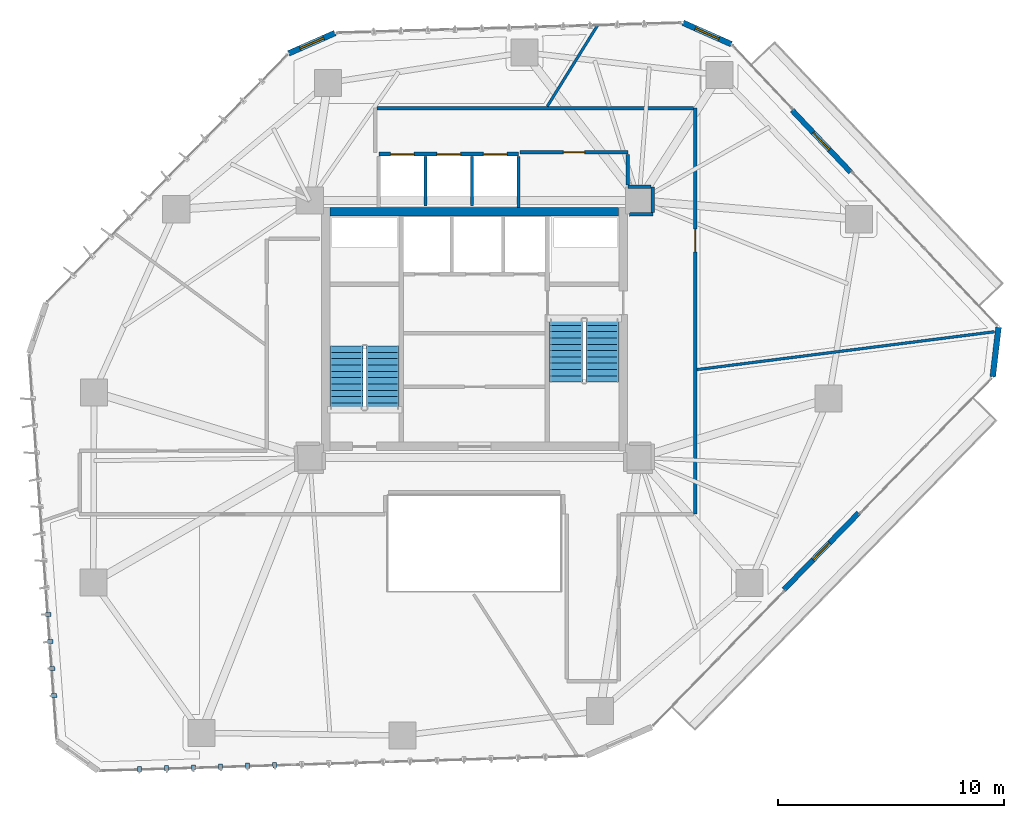
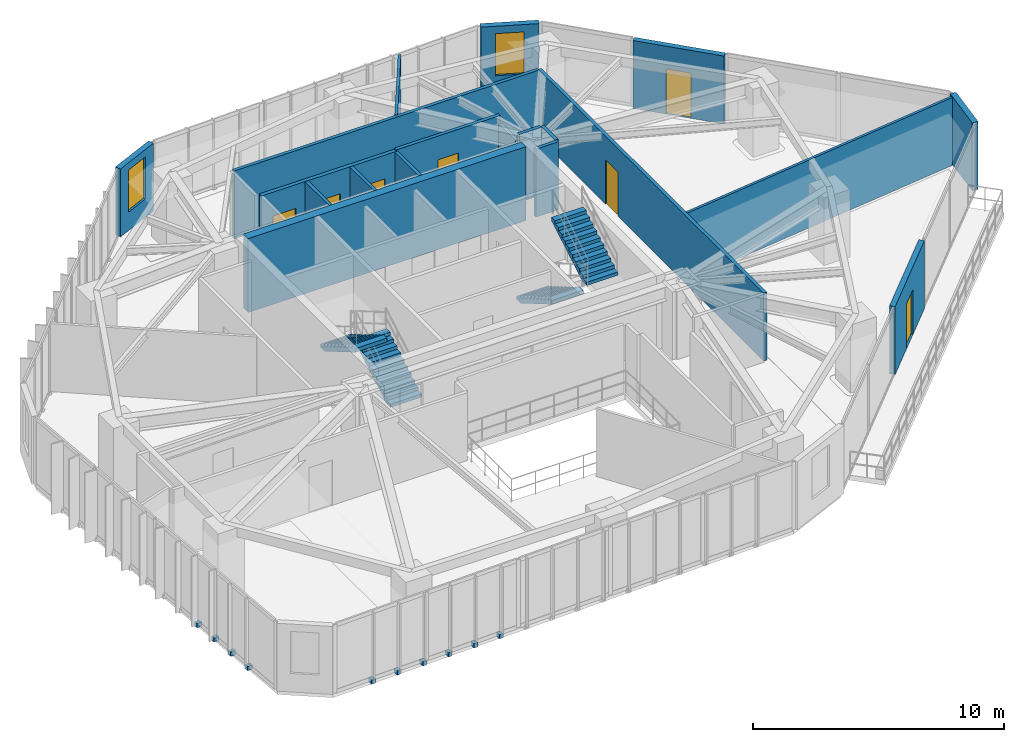
# One storey, part 19 of 23: 19 walls, 10 discrete accessories, 7 doors, 4 stair flights, 2 windows, 9 openings, 2 elements without a shape of their own.
"""IFC4 building model written with IfcOpenShell, lengths in metres."""

from ifc_helpers import new_model, si_unit, direction, frame, frame_2d, origin, origin_2d, place, context, subcontext, project, spatial, polyline, rectangle, outline, extrude, source, transform, mapped, material, layer, layer_set, type_object, type_shapes, element, fill, aggregate, save


model = new_model("IFC4")

# Units and contexts
model_context = context("Model", 3, precision=1e-05, world=origin(), true_north=direction((0.0, 1.0)))
body_context = subcontext(model_context, "Body", "Model", "MODEL_VIEW")
ifc_project = project(units=[si_unit("LENGTHUNIT", "METRE"), si_unit("AREAUNIT", "SQUARE_METRE"), si_unit("VOLUMEUNIT", "CUBIC_METRE"), si_unit("PLANEANGLEUNIT", "RADIAN"), si_unit("MASSUNIT", "GRAM", prefix="KILO")], contexts=[model_context])

# Site, building, storey
site_placement = place(None, origin())
site = spatial("IfcSite", under=ifc_project, at=site_placement, CompositionType="ELEMENT")
building_placement = place(site_placement, origin())
building = spatial("IfcBuilding", under=site, at=building_placement, Name="Talar Marvaseh", CompositionType="ELEMENT")
storey_placement = place(building_placement, frame((0.0, 0.0, 96.60009765625)))
storey = spatial("IfcBuildingStorey", under=building, at=storey_placement, Name="L24", CompositionType="ELEMENT", Elevation=96.60009765625)

# Wall, opening, window
ifc_material_1 = material(Name="Precast concrete C45/55", Category="concrete")
ifc_layer_1 = layer(ifc_material_1, 0.2548828125)
ifc_layer_set_1 = layer_set([ifc_layer_1], Name="Precast concrete C45/55")
wall_type_1 = type_object("IfcWallType", Name="Chamfered Hexagonal Corner Pier Wall Z2 255", PredefinedType="SOLIDWALL", material=ifc_layer_set_1)
wall_1_placement = place(storey_placement, frame((17.764404296875, 43.429443359375, 0.0), z_axis=(0.0, 0.0, 1.0), x_axis=(0.915334273701, 0.402694881254, 0.0)))
wall_1 = element("IfcWall", 1, at=wall_1_placement, inside=storey, type_object=wall_type_1, Name="L24 Chamfered Corner Limestone Pier 3", PredefinedType="SOLIDWALL", context=body_context, shape_type="SweptSolid", body=[
    extrude(rectangle(XDim=2.2451171875, YDim=0.2548828125, at=frame_2d((1.12255859375, 0.0))), origin(), (0.0, 0.0, 1.0), 3.309814453125),
])
opening_1_placement = place(wall_1_placement, frame((0.548095703125, 0.0, 0.89990234375)))
opening_1 = element("IfcOpeningElement", 2, at=opening_1_placement, cuts=wall_1, Name="Opening WN-CHM11", PredefinedType="OPENING", context=body_context, shape_type="SweptSolid", body=[
    extrude(rectangle(XDim=1.14990234375, YDim=2.050048828125, at=frame_2d((0.574951171875, 1.02490234375))), frame((0.0, 0.137451171875, 0.0), z_axis=(0.0, -1.0, 0.0), x_axis=(1.0, 0.0, 0.0)), (0.0, 0.0, 1.0), 0.27490234375),
])
ifc_material_2 = material(Name="Laminated Low-E Solar Glass", Category="glass")
window_type = type_object("IfcWindowType", Name="Zone 2 Chamfered Corner Slot Window 1150x2050", PartitioningType="SINGLE_PANEL", PredefinedType="WINDOW", material=ifc_material_2)
shared_shape_1 = source(origin(), body_context, "Body", "SweptSolid", [
    extrude(rectangle(XDim=1.14990234375, YDim=2.050048828125, at=frame_2d((0.574951171875, 1.02490234375))), frame((0.0, 0.030029296875, 0.0), z_axis=(0.0, -1.0, 0.0), x_axis=(1.0, 0.0, 0.0)), (0.0, 0.0, 1.0), 0.06005859375),
])
type_shapes(window_type, [shared_shape_1])
window_1_placement = place(opening_1_placement, origin())
window_1 = element("IfcWindow", 3, at=window_1_placement, inside=storey, type_object=window_type, Name="L24 Chamfered Corner Slot Window", OverallHeight=2.050048828125, OverallWidth=1.14990234375, PartitioningType="SINGLE_PANEL", PredefinedType="WINDOW", context=body_context, shape_type="MappedRepresentation", body=[
    mapped(shared_shape_1, transform((0.0, 0.0, 0.0), x_axis=(1.0, 0.0, 0.0), y_axis=(0.0, 1.0, 0.0), z_axis=(0.0, 0.0, 1.0), scale=1.0)),
])
fill(opening_1, window_1)

wall_2_placement = place(storey_placement, frame((35.25146484375, 44.785400390625, 0.0), z_axis=(0.0, 0.0, 1.0), x_axis=(0.914408408595, -0.404792863438, 0.0)))
wall_2 = element("IfcWall", 4, at=wall_2_placement, inside=storey, type_object=wall_type_1, Name="L24 Chamfered Corner Limestone Pier 4", PredefinedType="SOLIDWALL", context=body_context, shape_type="SweptSolid", body=[
    extrude(rectangle(XDim=2.3408203125, YDim=0.2548828125, at=frame_2d((1.17041015625, 0.0))), origin(), (0.0, 0.0, 1.0), 3.309814453125),
])
opening_2_placement = place(wall_2_placement, frame((0.594970703125, 0.0, 0.89990234375)))
opening_2 = element("IfcOpeningElement", 5, at=opening_2_placement, cuts=wall_2, Name="Opening WN-CHM11", PredefinedType="OPENING", context=body_context, shape_type="SweptSolid", body=[
    extrude(rectangle(XDim=1.14990234375, YDim=2.050048828125, at=frame_2d((0.574951171875, 1.02490234375))), frame((0.0, 0.137451171875, 0.0), z_axis=(0.0, -1.0, 0.0), x_axis=(1.0, 0.0, 0.0)), (0.0, 0.0, 1.0), 0.27490234375),
])
window_2_placement = place(opening_2_placement, origin())
window_2 = element("IfcWindow", 6, at=window_2_placement, inside=storey, type_object=window_type, Name="L24 Chamfered Corner Slot Window", OverallHeight=2.050048828125, OverallWidth=1.14990234375, PartitioningType="SINGLE_PANEL", PredefinedType="WINDOW", context=body_context, shape_type="MappedRepresentation", body=[
    mapped(shared_shape_1, transform((0.0, 0.0, 0.0), x_axis=(1.0, 0.0, 0.0), y_axis=(0.0, 1.0, 0.0), z_axis=(0.0, 0.0, 1.0), scale=1.0)),
])
fill(opening_2, window_2)

# Wall
wall_3_placement = place(storey_placement, frame((49.239990234375, 31.285888671875, 0.0), z_axis=(0.0, 0.0, 1.0), x_axis=(-0.1161958055, -0.993226326063, 0.0)))
element("IfcWall", 7, at=wall_3_placement, inside=storey, type_object=wall_type_1, Name="L24 Chamfered Corner Limestone Pier 5", PredefinedType="SOLIDWALL", context=body_context, shape_type="SweptSolid", body=[
    extrude(rectangle(XDim=2.216796875, YDim=0.2548828125, at=frame_2d((1.1083984375, 0.0))), origin(), (0.0, 0.0, 1.0), 3.309814453125),
])

# Wall, opening, door
ifc_material_3 = material(Name="Gypsum Board Partition Assembly")
ifc_layer_2 = layer(ifc_material_3, 0.155029296875)
ifc_layer_set_2 = layer_set([ifc_layer_2], Name="Gypsum Board Partition Assembly")
wall_type_2 = type_object("IfcWallType", Name="Corridor Fire-Rated Acoustic Partition 155", PredefinedType="PARTITIONING", material=ifc_layer_set_2)
wall_4_placement = place(storey_placement, frame((32.800048828125, 39.0400390625, 0.0), z_axis=(0.0, 0.0, 1.0), x_axis=(-1.0, 0.0, 0.0)))
wall_4 = element("IfcWall", 8, at=wall_4_placement, inside=storey, type_object=wall_type_2, Name="L24 Interior Partition Wall", PredefinedType="PARTITIONING", context=body_context, shape_type="SweptSolid", body=[
    extrude(rectangle(XDim=4.77001953125, YDim=0.155029296875, at=frame_2d((2.385009765625, 0.0))), origin(), (0.0, 0.0, 1.0), 3.309814453125),
])
opening_3_placement = place(wall_4_placement, frame((1.909912109375, 0.0, 0.0)))
opening_3 = element("IfcOpeningElement", 9, at=opening_3_placement, cuts=wall_4, Name="Opening DR-WC095", PredefinedType="OPENING", context=body_context, shape_type="SweptSolid", body=[
    extrude(rectangle(XDim=0.949951171875, YDim=2.14990234375, at=frame_2d((0.47509765625, 1.074951171875))), frame((0.0, 0.08740234375, 0.0), z_axis=(0.0, -1.0, 0.0), x_axis=(1.0, 0.0, 0.0)), (0.0, 0.0, 1.0), 0.175048828125),
])
ifc_material_4 = material(Name="Acoustic Engineered Oak Timber", Category="wood")
door_type_1 = type_object("IfcDoorType", Name="Washroom and Service Room Door 950x2150", OperationType="NOTDEFINED", PredefinedType="DOOR", material=ifc_material_4)
shared_shape_2 = source(origin(), body_context, "Body", "SweptSolid", [
    extrude(rectangle(XDim=0.949951171875, YDim=2.14990234375, at=frame_2d((0.47509765625, 1.074951171875))), frame((0.0, 0.02490234375, 0.0), z_axis=(0.0, -1.0, 0.0), x_axis=(1.0, 0.0, 0.0)), (0.0, 0.0, 1.0), 0.050048828125),
])
type_shapes(door_type_1, [shared_shape_2])
door_1_placement = place(opening_3_placement, origin())
door_1 = element("IfcDoor", 10, at=door_1_placement, inside=storey, type_object=door_type_1, Name="L24 WC Public Washrooms Door", OperationType="SINGLE_SWING_RIGHT", OverallHeight=2.14990234375, OverallWidth=0.949951171875, PredefinedType="DOOR", context=body_context, shape_type="MappedRepresentation", body=[
    mapped(shared_shape_2, transform((0.0, 0.0, 0.0), x_axis=(1.0, 0.0, 0.0), y_axis=(0.0, 1.0, 0.0), z_axis=(0.0, 0.0, 1.0), scale=1.0)),
])
fill(opening_3, door_1)

wall_5_placement = place(storey_placement, frame((35.800048828125, 41.0, 0.0), z_axis=(0.0, 0.0, 1.0), x_axis=(0.0, -1.0, 0.0)))
wall_5 = element("IfcWall", 11, at=wall_5_placement, inside=storey, type_object=wall_type_2, Name="L24 Interior Partition Wall", PredefinedType="PARTITIONING", context=body_context, shape_type="SweptSolid", body=[
    extrude(rectangle(XDim=18.0, YDim=0.155029296875, at=frame_2d((9.0, 0.0))), origin(), (0.0, 0.0, 1.0), 3.309814453125),
])
opening_4_placement = place(wall_5_placement, frame((5.368408203125, 0.0, 0.0)))
opening_4 = element("IfcOpeningElement", 12, at=opening_4_placement, cuts=wall_5, Name="Opening DR-RM100", PredefinedType="OPENING", context=body_context, shape_type="SweptSolid", body=[
    extrude(rectangle(XDim=1.0, YDim=2.14990234375, at=frame_2d((0.5, 1.074951171875))), frame((0.0, 0.08740234375, 0.0), z_axis=(0.0, -1.0, 0.0), x_axis=(1.0, 0.0, 0.0)), (0.0, 0.0, 1.0), 0.175048828125),
])
door_type_2 = type_object("IfcDoorType", Name="Corridor Fire-Rated Gallery Door 1000x2150", OperationType="NOTDEFINED", PredefinedType="DOOR", material=ifc_material_4)
shared_shape_3 = source(origin(), body_context, "Body", "SweptSolid", [
    extrude(rectangle(XDim=1.0, YDim=2.14990234375, at=frame_2d((0.5, 1.074951171875))), frame((0.0, 0.02490234375, 0.0), z_axis=(0.0, -1.0, 0.0), x_axis=(1.0, 0.0, 0.0)), (0.0, 0.0, 1.0), 0.050048828125),
])
type_shapes(door_type_2, [shared_shape_3])
door_2_placement = place(opening_4_placement, origin())
door_2 = element("IfcDoor", 13, at=door_2_placement, inside=storey, type_object=door_type_2, Name="L24 Main Reading Room Door", OperationType="SINGLE_SWING_LEFT", OverallHeight=2.14990234375, OverallWidth=1.0, PredefinedType="DOOR", context=body_context, shape_type="MappedRepresentation", body=[
    mapped(shared_shape_3, transform((0.0, 0.0, 0.0), x_axis=(1.0, 0.0, 0.0), y_axis=(0.0, 1.0, 0.0), z_axis=(0.0, 0.0, 1.0), scale=1.0)),
])
fill(opening_4, door_2)

# Walls
wall_6_placement = place(storey_placement, frame((32.8701171875, 36.284912109375, 0.0), z_axis=(0.0, 0.0, 1.0), x_axis=(0.999895094683, 0.014484461652, 0.0)))
element("IfcWall", 14, at=wall_6_placement, inside=storey, type_object=wall_type_2, Name="L24 Interior Partition Wall", PredefinedType="PARTITIONING", context=body_context, shape_type="SweptSolid", body=[
    extrude(rectangle(XDim=1.044921875, YDim=0.155029296875, at=frame_2d((0.5224609375, 0.0))), origin(), (0.0, 0.0, 1.0), 3.309814453125),
])
wall_7_placement = place(storey_placement, frame((33.914794921875, 36.383544921875, 0.0), z_axis=(0.0, 0.0, 1.0), x_axis=(-0.003682817312, 0.999993218405, 0.0)))
element("IfcWall", 15, at=wall_7_placement, inside=storey, type_object=wall_type_2, Name="L24 Interior Partition Wall", PredefinedType="PARTITIONING", context=body_context, shape_type="SweptSolid", body=[
    extrude(rectangle(XDim=1.126953125, YDim=0.155029296875, at=frame_2d((0.5634765625, 0.0))), origin(), (0.0, 0.0, 1.0), 3.309814453125),
])
wall_8_placement = place(storey_placement, frame((33.8271484375, 37.510986328125, 0.0), z_axis=(0.0, 0.0, 1.0), x_axis=(-0.99999276797, 0.003803157663, 0.0)))
element("IfcWall", 16, at=wall_8_placement, inside=storey, type_object=wall_type_2, Name="L24 Interior Partition Wall", PredefinedType="PARTITIONING", context=body_context, shape_type="SweptSolid", body=[
    extrude(rectangle(XDim=1.027099609375, YDim=0.155029296875, at=frame_2d((0.513671875, 0.0))), origin(), (0.0, 0.0, 1.0), 3.309814453125),
])
wall_9_placement = place(storey_placement, frame((32.800048828125, 37.598388671875, 0.0), z_axis=(0.0, 0.0, 1.0), x_axis=(0.0, 1.0, 0.0)))
element("IfcWall", 17, at=wall_9_placement, inside=storey, type_object=wall_type_2, Name="L24 Interior Partition Wall", PredefinedType="PARTITIONING", context=body_context, shape_type="SweptSolid", body=[
    extrude(rectangle(XDim=1.358154296875, YDim=0.155029296875, at=frame_2d((0.67919921875, 0.0))), origin(), (0.0, 0.0, 1.0), 2.927001953125),
])
wall_10_placement = place(storey_placement, frame((21.68359375, 41.0, 0.0), z_axis=(0.0, 0.0, 1.0), x_axis=(1.0, 0.0, 0.0)))
element("IfcWall", 18, at=wall_10_placement, inside=storey, type_object=wall_type_2, Name="L24 Interior Partition Wall", PredefinedType="PARTITIONING", context=body_context, shape_type="SweptSolid", body=[
    extrude(rectangle(XDim=14.032958984375, YDim=0.155029296875, at=frame_2d((7.0166015625, 0.0))), origin(), (0.0, 0.0, 1.0), 3.309814453125),
])
ifc_layer_3 = layer(ifc_material_3, 0.1201171875)
ifc_layer_set_3 = layer_set([ifc_layer_3], Name="Gypsum Board Partition Assembly")
wall_type_3 = type_object("IfcWallType", Name="Demountable Studio Room Partition 120", PredefinedType="PARTITIONING", material=ifc_layer_set_3)
wall_11_placement = place(storey_placement, frame((35.864501953125, 29.408203125, 0.0), z_axis=(0.0, 0.0, 1.0), x_axis=(0.992009197366, 0.126165575106, 0.0)))
element("IfcWall", 19, at=wall_11_placement, inside=storey, type_object=wall_type_3, Name="L24 Interior Partition Wall", PredefinedType="PARTITIONING", context=body_context, shape_type="SweptSolid", body=[
    extrude(rectangle(XDim=13.2958984375, YDim=0.1201171875, at=frame_2d((6.64794921875, 0.0))), origin(), (0.0, 0.0, 1.0), 3.309814453125),
])
wall_12_placement = place(storey_placement, frame((29.23193359375, 41.08349609375, 0.0), z_axis=(0.0, 0.0, 1.0), x_axis=(0.527346974568, 0.849650027019, 0.0)))
element("IfcWall", 20, at=wall_12_placement, inside=storey, type_object=wall_type_3, Name="L24 Interior Partition Wall", PredefinedType="PARTITIONING", context=body_context, shape_type="SweptSolid", body=[
    extrude(rectangle(XDim=4.207763671875, YDim=0.1201171875, at=frame_2d((2.10400390625, 0.0))), origin(), (0.0, 0.0, 1.0), 3.309814453125),
])
ifc_layer_4 = layer(ifc_material_1, 0.14501953125)
ifc_layer_set_4 = layer_set([ifc_layer_4], Name="Precast concrete C45/55")
wall_type_4 = type_object("IfcWallType", Name="Fire-Rated Lift Divider Wall 145", PredefinedType="SOLIDWALL", material=ifc_layer_set_4)
wall_13_placement = place(storey_placement, frame((27.9599609375, 36.60009765625, 0.0), z_axis=(0.0, 0.0, 1.0), x_axis=(0.0, 1.0, 0.0)))
element("IfcWall", 21, at=wall_13_placement, inside=storey, type_object=wall_type_4, Name="L24 Low-Rise Bank East Wall", PredefinedType="SOLIDWALL", context=body_context, shape_type="SweptSolid", body=[
    extrude(rectangle(XDim=2.266357421875, YDim=0.14501953125, at=frame_2d((1.13330078125, 0.0))), origin(), (0.0, 0.0, 1.0), 3.309814453125),
])
for number, where, z_axis, x_axis, name in (
    (22, (23.830078125, 36.659912109375, 0.0), (0.0, 0.0, 1.0), (0.0, 1.0, 0.0), "L24 PL-L1/PL-L2 Divider"),
    (23, (25.889892578125, 36.659912109375, 0.0), (0.0, 0.0, 1.0), (0.0, 1.0, 0.0), "L24 PL-L2/PL-L3 Divider"),
):
    element("IfcWall", number, at=place(storey_placement, frame(where, z_axis=z_axis, x_axis=x_axis)), inside=storey, type_object=wall_type_4, Name=name, PredefinedType="SOLIDWALL", context=body_context, shape_type="SweptSolid", body=[
        extrude(rectangle(XDim=2.20654296875, YDim=0.14501953125, at=frame_2d((1.103271484375, 0.0))), origin(), (0.0, 0.0, 1.0), 3.309814453125),
    ])

# Wall, openings, doors
ifc_layer_5 = layer(ifc_material_1, 0.175048828125)
ifc_layer_set_5 = layer_set([ifc_layer_5], Name="Precast concrete C45/55")
wall_type_5 = type_object("IfcWallType", Name="Fire-Rated Lift Hoistway Enclosure Wall 175", PredefinedType="SOLIDWALL", material=ifc_layer_set_5)
wall_14_placement = place(storey_placement, frame((21.760009765625, 38.9599609375, 0.0), z_axis=(0.0, 0.0, 1.0), x_axis=(1.0, 0.0, 0.0)))
wall_14 = element("IfcWall", 24, at=wall_14_placement, inside=storey, type_object=wall_type_5, Name="L24 Low-Rise Lift Bank Front Wall", PredefinedType="SOLIDWALL", context=body_context, shape_type="SweptSolid", body=[
    extrude(rectangle(XDim=6.199951171875, YDim=0.175048828125, at=frame_2d((3.10009765625, 0.0))), origin(), (0.0, 0.0, 1.0), 3.309814453125),
])
opening_5_placement = place(wall_14_placement, frame((0.52001953125, 0.0, 0.0)))
opening_5 = element("IfcOpeningElement", 25, at=opening_5_placement, cuts=wall_14, Name="Opening LD-PLL1", PredefinedType="OPENING", context=body_context, shape_type="SweptSolid", body=[
    extrude(rectangle(XDim=1.050048828125, YDim=2.14990234375, at=frame_2d((0.52490234375, 1.074951171875))), frame((0.0, 0.09765625, 0.0), z_axis=(0.0, -1.0, 0.0), x_axis=(1.0, 0.0, 0.0)), (0.0, 0.0, 1.0), 0.195068359375),
])
opening_6_placement = place(wall_14_placement, frame((2.580078125, 0.0, 0.0)))
opening_6 = element("IfcOpeningElement", 26, at=opening_6_placement, cuts=wall_14, Name="Opening LD-PLL2", PredefinedType="OPENING", context=body_context, shape_type="SweptSolid", body=[
    extrude(rectangle(XDim=1.050048828125, YDim=2.14990234375, at=frame_2d((0.52490234375, 1.074951171875))), frame((0.0, 0.09765625, 0.0), z_axis=(0.0, -1.0, 0.0), x_axis=(1.0, 0.0, 0.0)), (0.0, 0.0, 1.0), 0.195068359375),
])
opening_7_placement = place(wall_14_placement, frame((4.639892578125, 0.0, 0.0)))
opening_7 = element("IfcOpeningElement", 27, at=opening_7_placement, cuts=wall_14, Name="Opening LD-PLL3", PredefinedType="OPENING", context=body_context, shape_type="SweptSolid", body=[
    extrude(rectangle(XDim=1.050048828125, YDim=2.14990234375, at=frame_2d((0.52490234375, 1.074951171875))), frame((0.0, 0.09765625, 0.0), z_axis=(0.0, -1.0, 0.0), x_axis=(1.0, 0.0, 0.0)), (0.0, 0.0, 1.0), 0.195068359375),
])
ifc_material_5 = material(Name="Stainless Steel Grade 316", Category="steel")
door_type_3 = type_object("IfcDoorType", Name="Automatic Sliding Lift Landing Door 1050x2150", OperationType="NOTDEFINED", PredefinedType="DOOR", material=ifc_material_5)
shared_shape_4 = source(origin(), body_context, "Body", "SweptSolid", [
    extrude(rectangle(XDim=1.050048828125, YDim=2.14990234375, at=frame_2d((0.52490234375, 1.074951171875))), frame((0.0, 0.02490234375, 0.0), z_axis=(0.0, -1.0, 0.0), x_axis=(1.0, 0.0, 0.0)), (0.0, 0.0, 1.0), 0.050048828125),
])
type_shapes(door_type_3, [shared_shape_4])
door_3_placement = place(opening_5_placement, origin())
door_3 = element("IfcDoor", 28, at=door_3_placement, inside=storey, type_object=door_type_3, Name="L24 Lift PL-L1 Sliding Landing Door", OperationType="SLIDING_TO_LEFT", OverallHeight=2.14990234375, OverallWidth=1.050048828125, PredefinedType="DOOR", context=body_context, shape_type="MappedRepresentation", body=[
    mapped(shared_shape_4, transform((0.0, 0.0, 0.0), x_axis=(1.0, 0.0, 0.0), y_axis=(0.0, 1.0, 0.0), z_axis=(0.0, 0.0, 1.0), scale=1.0)),
])
fill(opening_5, door_3)
door_4_placement = place(opening_6_placement, origin())
door_4 = element("IfcDoor", 29, at=door_4_placement, inside=storey, type_object=door_type_3, Name="L24 Lift PL-L2 Sliding Landing Door", OperationType="SLIDING_TO_LEFT", OverallHeight=2.14990234375, OverallWidth=1.050048828125, PredefinedType="DOOR", context=body_context, shape_type="MappedRepresentation", body=[
    mapped(shared_shape_4, transform((0.0, 0.0, 0.0), x_axis=(1.0, 0.0, 0.0), y_axis=(0.0, 1.0, 0.0), z_axis=(0.0, 0.0, 1.0), scale=1.0)),
])
fill(opening_6, door_4)
door_5_placement = place(opening_7_placement, origin())
door_5 = element("IfcDoor", 30, at=door_5_placement, inside=storey, type_object=door_type_3, Name="L24 Lift PL-L3 Sliding Landing Door", OperationType="SLIDING_TO_LEFT", OverallHeight=2.14990234375, OverallWidth=1.050048828125, PredefinedType="DOOR", context=body_context, shape_type="MappedRepresentation", body=[
    mapped(shared_shape_4, transform((0.0, 0.0, 0.0), x_axis=(1.0, 0.0, 0.0), y_axis=(0.0, 1.0, 0.0), z_axis=(0.0, 0.0, 1.0), scale=1.0)),
])
fill(opening_7, door_5)

# Wall
ifc_material_6 = material(Name="Concrete C60/75", Category="concrete")
ifc_layer_6 = layer(ifc_material_6, 0.3798828125)
ifc_layer_set_6 = layer_set([ifc_layer_6], Name="Concrete C60/75")
wall_type_6 = type_object("IfcWallType", Name="Mid Core Reinforced Concrete Shear Wall 380", PredefinedType="SHEAR", material=ifc_layer_set_6)
wall_15_placement = place(storey_placement, frame((19.60009765625, 36.39990234375, 0.0), z_axis=(0.0, 0.0, 1.0), x_axis=(1.0, 0.0, 0.0)))
element("IfcWall", 31, at=wall_15_placement, inside=storey, type_object=wall_type_6, Name="L24 North Core Shear Wall", PredefinedType="SHEAR", context=body_context, shape_type="SweptSolid", body=[
    extrude(rectangle(XDim=12.7998046875, YDim=0.3798828125, at=frame_2d((6.39990234375, 0.0))), origin(), (0.0, 0.0, 1.0), 3.599853515625),
])

# Wall, opening, door
ifc_layer_7 = layer(ifc_material_1, 0.235107421875)
ifc_layer_set_7 = layer_set([ifc_layer_7], Name="Precast concrete C45/55")
wall_type_7 = type_object("IfcWallType", Name="Terrace Threshold Glazed Spandrel Wall 235", PredefinedType="SOLIDWALL", material=ifc_layer_set_7)
wall_16_placement = place(storey_placement, frame((40.08447265625, 40.910400390625, 0.0), z_axis=(0.0, 0.0, 1.0), x_axis=(0.687112383258, -0.726551149455, 0.0)))
wall_16 = element("IfcWall", 32, at=wall_16_placement, inside=storey, type_object=wall_type_7, Name="L24 Terrace Threshold Wall", PredefinedType="SOLIDWALL", context=body_context, shape_type="SweptSolid", body=[
    extrude(rectangle(XDim=3.7822265625, YDim=0.235107421875, at=frame_2d((1.89111328125, 0.0))), origin(), (0.0, 0.0, 1.0), 3.309814453125),
])
opening_8_placement = place(wall_16_placement, frame((1.365966796875, 0.0, 0.0)))
opening_8 = element("IfcOpeningElement", 33, at=opening_8_placement, cuts=wall_16, Name="Opening DR-TER10", PredefinedType="OPENING", context=body_context, shape_type="SweptSolid", body=[
    extrude(rectangle(XDim=1.050048828125, YDim=2.199951171875, at=frame_2d((0.52490234375, 1.10009765625))), frame((0.0, 0.12744140625, 0.0), z_axis=(0.0, -1.0, 0.0), x_axis=(1.0, 0.0, 0.0)), (0.0, 0.0, 1.0), 0.255126953125),
])
ifc_material_7 = material(Name="Architectural Aluminium", Category="aluminium")
door_type_4 = type_object("IfcDoorType", Name="External Terrace Weatherproof Glazed Door 1050x2200", OperationType="NOTDEFINED", PredefinedType="DOOR", material=ifc_material_7)
shared_shape_5 = source(origin(), body_context, "Body", "SweptSolid", [
    extrude(rectangle(XDim=1.050048828125, YDim=2.199951171875, at=frame_2d((0.52490234375, 1.10009765625))), frame((0.0, 0.02490234375, 0.0), z_axis=(0.0, -1.0, 0.0), x_axis=(1.0, 0.0, 0.0)), (0.0, 0.0, 1.0), 0.050048828125),
])
type_shapes(door_type_4, [shared_shape_5])
door_6_placement = place(opening_8_placement, origin())
door_6 = element("IfcDoor", 34, at=door_6_placement, inside=storey, type_object=door_type_4, Name="L24 External Planted Terrace Access Door", OperationType="SINGLE_SWING_LEFT", OverallHeight=2.199951171875, OverallWidth=1.050048828125, PredefinedType="DOOR", context=body_context, shape_type="MappedRepresentation", body=[
    mapped(shared_shape_5, transform((0.0, 0.0, 0.0), x_axis=(1.0, 0.0, 0.0), y_axis=(0.0, 1.0, 0.0), z_axis=(0.0, 0.0, 1.0), scale=1.0)),
])
fill(opening_8, door_6)

wall_17_placement = place(storey_placement, frame((43.038818359375, 23.052978515625, 0.0), z_axis=(0.0, 0.0, 1.0), x_axis=(-0.6979099668, -0.716185505467, 0.0)))
wall_17 = element("IfcWall", 35, at=wall_17_placement, inside=storey, type_object=wall_type_7, Name="L24 Terrace Threshold Wall", PredefinedType="SOLIDWALL", context=body_context, shape_type="SweptSolid", body=[
    extrude(rectangle(XDim=4.755859375, YDim=0.235107421875, at=frame_2d((2.3779296875, 0.0))), origin(), (0.0, 0.0, 1.0), 3.309814453125),
])
opening_9_placement = place(wall_17_placement, frame((1.85302734375, 0.0, 0.0)))
opening_9 = element("IfcOpeningElement", 36, at=opening_9_placement, cuts=wall_17, Name="Opening DR-TER10", PredefinedType="OPENING", context=body_context, shape_type="SweptSolid", body=[
    extrude(rectangle(XDim=1.050048828125, YDim=2.199951171875, at=frame_2d((0.52490234375, 1.10009765625))), frame((0.0, 0.12744140625, 0.0), z_axis=(0.0, -1.0, 0.0), x_axis=(1.0, 0.0, 0.0)), (0.0, 0.0, 1.0), 0.255126953125),
])
door_7_placement = place(opening_9_placement, origin())
door_7 = element("IfcDoor", 37, at=door_7_placement, inside=storey, type_object=door_type_4, Name="L24 External Planted Terrace Access Door", OperationType="SINGLE_SWING_RIGHT", OverallHeight=2.199951171875, OverallWidth=1.050048828125, PredefinedType="DOOR", context=body_context, shape_type="MappedRepresentation", body=[
    mapped(shared_shape_5, transform((0.0, 0.0, 0.0), x_axis=(1.0, 0.0, 0.0), y_axis=(0.0, 1.0, 0.0), z_axis=(0.0, 0.0, 1.0), scale=1.0)),
])
fill(opening_9, door_7)

# Stair, stair flights
ifc_material_8 = material(Name="Concrete C40/50", Category="concrete")
stair_type = type_object("IfcStairType", Name="Reinforced Concrete Half-Turn Exit Stair Type B", PredefinedType="HALF_TURN_STAIR", material=ifc_material_8)
stair_1_placement = place(storey_placement, origin())
stair_1 = element("IfcStair", 38, at=stair_1_placement, inside=storey, type_object=stair_type, Name="L24 Tower West Core Exit Stair", PredefinedType="HALF_TURN_STAIR")
ifc_layer_8 = layer(ifc_material_8, 0.159912109375)
ifc_layer_set_8 = layer_set([ifc_layer_8], Name="Concrete C40/50")
stair_flight_type = type_object("IfcStairFlightType", Name="Reinforced Concrete Straight Stair Flight 160", PredefinedType="STRAIGHT", material=ifc_layer_set_8)
stair_flight_1_placement = place(storey_placement, frame((21.93505859375, 27.64990234375, 0.0), z_axis=(0.0, 0.0, 1.0), x_axis=(0.0, 1.0, 0.0)))
stair_flight_1 = element("IfcStairFlight", 39, at=stair_flight_1_placement, type_object=stair_flight_type, Name="ST-1 flight 1", NumberOfRisers=11, NumberOfTreads=10, PredefinedType="STRAIGHT", RiserHeight=0.163636364, TreadLength=0.28, context=body_context, shape_type="SweptSolid", body=[
    extrude(outline(polyline([(0.0, 0.0), (0.0, 0.16357421875), (0.280029296875, 0.16357421875), (0.280029296875, 0.327392578125), (0.56005859375, 0.327392578125), (0.56005859375, 0.490966796875), (0.840087890625, 0.490966796875), (0.840087890625, 0.654541015625), (1.1201171875, 0.654541015625), (1.1201171875, 0.818115234375), (1.39990234375, 0.818115234375), (1.39990234375, 0.98193359375), (1.679931640625, 0.98193359375), (1.679931640625, 1.1455078125), (1.9599609375, 1.1455078125), (1.9599609375, 1.30908203125), (2.239990234375, 1.30908203125), (2.239990234375, 1.47265625), (2.52001953125, 1.47265625), (2.52001953125, 1.636474609375), (2.800048828125, 1.636474609375), (2.800048828125, 1.800048828125), (2.800048828125, 1.451171875), (0.31689453125, 0.0), (0.0, 0.0)])), frame((0.0, 0.72509765625, 0.0), z_axis=(0.0, -1.0, 0.0), x_axis=(1.0, 0.0, 0.0)), (0.0, 0.0, 1.0), 1.449951171875),
])
stair_flight_2_placement = place(storey_placement, frame((20.324951171875, 30.449951171875, 1.7998046875), z_axis=(0.0, 0.0, 1.0), x_axis=(0.0, -1.0, 0.0)))
stair_flight_2 = element("IfcStairFlight", 40, at=stair_flight_2_placement, type_object=stair_flight_type, Name="ST-1 flight 2", NumberOfRisers=11, NumberOfTreads=10, PredefinedType="STRAIGHT", RiserHeight=0.163636364, TreadLength=0.28, context=body_context, shape_type="SweptSolid", body=[
    extrude(outline(polyline([(0.0, 0.0), (0.0, 0.16357421875), (0.280029296875, 0.16357421875), (0.280029296875, 0.327392578125), (0.56005859375, 0.327392578125), (0.56005859375, 0.490966796875), (0.840087890625, 0.490966796875), (0.840087890625, 0.654541015625), (1.1201171875, 0.654541015625), (1.1201171875, 0.818115234375), (1.39990234375, 0.818115234375), (1.39990234375, 0.98193359375), (1.679931640625, 0.98193359375), (1.679931640625, 1.1455078125), (1.9599609375, 1.1455078125), (1.9599609375, 1.30908203125), (2.239990234375, 1.30908203125), (2.239990234375, 1.47265625), (2.52001953125, 1.47265625), (2.52001953125, 1.636474609375), (2.800048828125, 1.636474609375), (2.800048828125, 1.800048828125), (2.800048828125, 1.451171875), (0.31689453125, 0.0), (0.0, 0.0)])), frame((0.0, 0.72509765625, 0.0), z_axis=(0.0, -1.0, 0.0), x_axis=(1.0, 0.0, 0.0)), (0.0, 0.0, 1.0), 1.449951171875),
])
aggregate(stair_1, [stair_flight_1, stair_flight_2])

stair_2_placement = place(storey_placement, origin())
stair_2 = element("IfcStair", 41, at=stair_2_placement, inside=storey, type_object=stair_type, Name="L24 Tower East Core Exit Stair", PredefinedType="HALF_TURN_STAIR")
stair_flight_3_placement = place(storey_placement, frame((30.06494140625, 31.64990234375, 0.0), z_axis=(0.0, 0.0, 1.0), x_axis=(0.0, -1.0, 0.0)))
stair_flight_3 = element("IfcStairFlight", 42, at=stair_flight_3_placement, type_object=stair_flight_type, Name="ST-2 flight 1", NumberOfRisers=11, NumberOfTreads=10, PredefinedType="STRAIGHT", RiserHeight=0.163636364, TreadLength=0.28, context=body_context, shape_type="SweptSolid", body=[
    extrude(outline(polyline([(0.0, 0.0), (0.0, 0.16357421875), (0.280029296875, 0.16357421875), (0.280029296875, 0.327392578125), (0.56005859375, 0.327392578125), (0.56005859375, 0.490966796875), (0.840087890625, 0.490966796875), (0.840087890625, 0.654541015625), (1.1201171875, 0.654541015625), (1.1201171875, 0.818115234375), (1.39990234375, 0.818115234375), (1.39990234375, 0.98193359375), (1.679931640625, 0.98193359375), (1.679931640625, 1.1455078125), (1.9599609375, 1.1455078125), (1.9599609375, 1.30908203125), (2.239990234375, 1.30908203125), (2.239990234375, 1.47265625), (2.52001953125, 1.47265625), (2.52001953125, 1.636474609375), (2.800048828125, 1.636474609375), (2.800048828125, 1.800048828125), (2.800048828125, 1.451171875), (0.31689453125, 0.0), (0.0, 0.0)])), frame((0.0, 0.72509765625, 0.0), z_axis=(0.0, -1.0, 0.0), x_axis=(1.0, 0.0, 0.0)), (0.0, 0.0, 1.0), 1.449951171875),
])
stair_flight_4_placement = place(storey_placement, frame((31.675048828125, 28.85009765625, 1.7998046875), z_axis=(0.0, 0.0, 1.0), x_axis=(0.0, 1.0, 0.0)))
stair_flight_4 = element("IfcStairFlight", 43, at=stair_flight_4_placement, type_object=stair_flight_type, Name="ST-2 flight 2", NumberOfRisers=11, NumberOfTreads=10, PredefinedType="STRAIGHT", RiserHeight=0.163636364, TreadLength=0.28, context=body_context, shape_type="SweptSolid", body=[
    extrude(outline(polyline([(0.0, 0.0), (0.0, 0.16357421875), (0.280029296875, 0.16357421875), (0.280029296875, 0.327392578125), (0.56005859375, 0.327392578125), (0.56005859375, 0.490966796875), (0.840087890625, 0.490966796875), (0.840087890625, 0.654541015625), (1.1201171875, 0.654541015625), (1.1201171875, 0.818115234375), (1.39990234375, 0.818115234375), (1.39990234375, 0.98193359375), (1.679931640625, 0.98193359375), (1.679931640625, 1.1455078125), (1.9599609375, 1.1455078125), (1.9599609375, 1.30908203125), (2.239990234375, 1.30908203125), (2.239990234375, 1.47265625), (2.52001953125, 1.47265625), (2.52001953125, 1.636474609375), (2.800048828125, 1.636474609375), (2.800048828125, 1.800048828125), (2.800048828125, 1.451171875), (0.31689453125, 0.0), (0.0, 0.0)])), frame((0.0, 0.72509765625, 0.0), z_axis=(0.0, -1.0, 0.0), x_axis=(1.0, 0.0, 0.0)), (0.0, 0.0, 1.0), 1.449951171875),
])
aggregate(stair_2, [stair_flight_3, stair_flight_4])

# Discrete accessories
discrete_accessory_type = type_object("IfcDiscreteAccessoryType", Name="Stainless Slab-Edge Fin Mounting Bracket", PredefinedType="BRACKET", material=ifc_material_5)
shared_shape_6 = source(origin(), body_context, "Body", "SweptSolid", [
    extrude(rectangle(XDim=0.239990234375, YDim=0.179931640625, at=origin_2d()), origin(), (0.0, 0.0, 1.0), 0.199951171875),
])
type_shapes(discrete_accessory_type, [shared_shape_6])
for number, where, z_axis, x_axis, name in (
    (44, (7.360595703125, 14.959716796875, -0.18017578125), (0.0, 0.0, 1.0), (-0.997440782931, -0.071497444333, 0.0), "L24 Vertical Fin Slab-Edge Bracket"),
    (45, (7.27490234375, 16.15673828125, -0.18017578125), (0.0, 0.0, 1.0), (-0.997440782931, -0.071497444333, 0.0), "L24 Vertical Fin Slab-Edge Bracket"),
    (46, (7.189208984375, 17.353515625, -0.18017578125), (0.0, 0.0, 1.0), (-0.997440782931, -0.071497444333, 0.0), "L24 Vertical Fin Slab-Edge Bracket"),
    (47, (7.103515625, 18.550537109375, -0.18017578125), (0.0, 0.0, 1.0), (-0.997440782931, -0.071497444333, 0.0), "L24 Vertical Fin Slab-Edge Bracket"),
    (48, (17.146728515625, 11.874267578125, -0.18017578125), (0.0, 0.0, 1.0), (0.030712964265, -0.999528245637, 0.0), "L24 Vertical Fin Slab-Edge Bracket"),
    (49, (15.947265625, 11.83740234375, -0.18017578125), (0.0, 0.0, 1.0), (0.030712964265, -0.999528245637, 0.0), "L24 Vertical Fin Slab-Edge Bracket"),
    (50, (14.747802734375, 11.800537109375, -0.18017578125), (0.0, 0.0, 1.0), (0.030712964265, -0.999528245637, 0.0), "L24 Vertical Fin Slab-Edge Bracket"),
    (51, (13.54833984375, 11.763916015625, -0.18017578125), (0.0, 0.0, 1.0), (0.030712964265, -0.999528245637, 0.0), "L24 Vertical Fin Slab-Edge Bracket"),
    (52, (12.34912109375, 11.72705078125, -0.18017578125), (0.0, 0.0, 1.0), (0.030712964265, -0.999528245637, 0.0), "L24 Vertical Fin Slab-Edge Bracket"),
    (53, (11.149658203125, 11.690185546875, -0.18017578125), (0.0, 0.0, 1.0), (0.030712964265, -0.999528245637, 0.0), "L24 Vertical Fin Slab-Edge Bracket"),
):
    element("IfcDiscreteAccessory", number, at=place(storey_placement, frame(where, z_axis=z_axis, x_axis=x_axis)), inside=storey, type_object=discrete_accessory_type, Name=name, PredefinedType="BRACKET", context=body_context, shape_type="MappedRepresentation", body=[
        mapped(shared_shape_6, transform((0.0, 0.0, 0.0), x_axis=(1.0, 0.0, 0.0), y_axis=(0.0, 1.0, 0.0), z_axis=(0.0, 0.0, 1.0), scale=1.0)),
    ])

save(model, "model.ifc")
